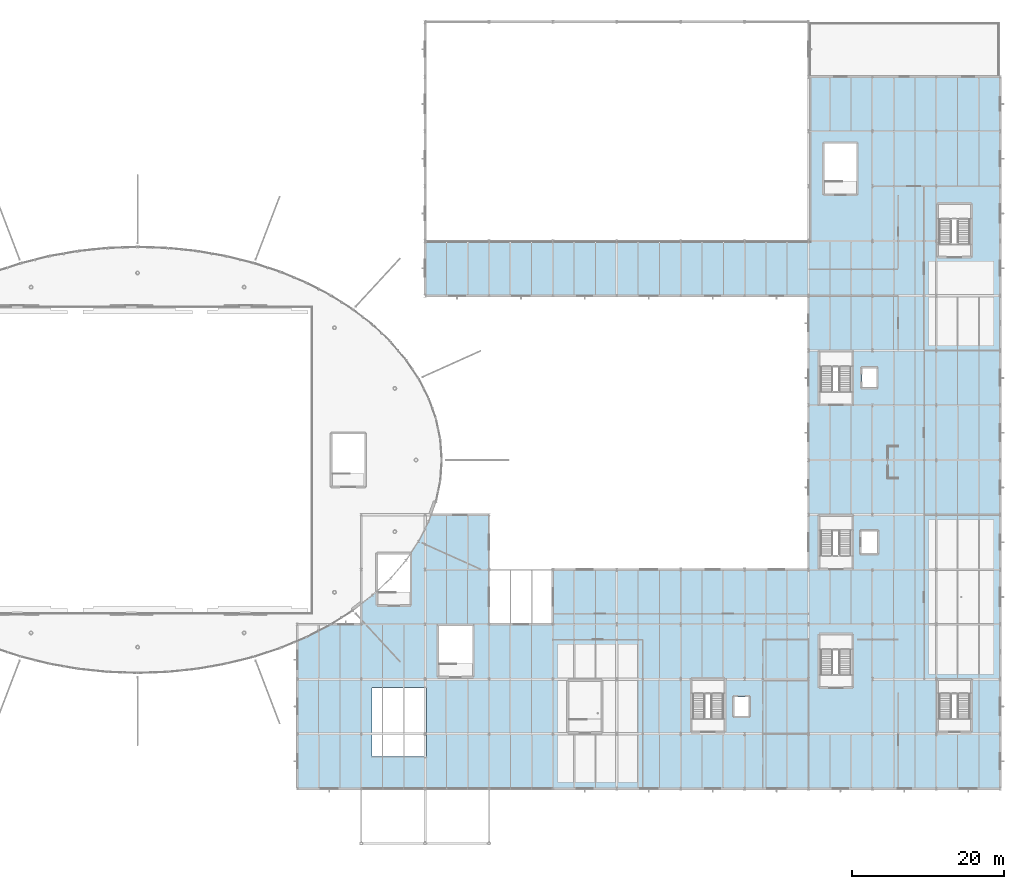
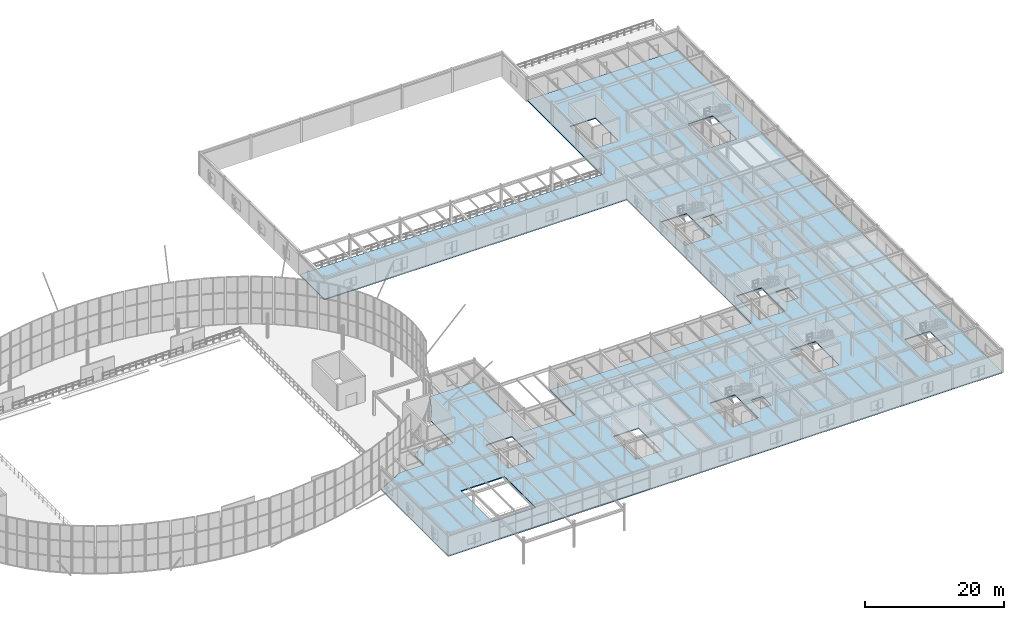
# One storey, part 50 of 109: 1 slab.
"""IFC4 building model written with IfcOpenShell, lengths in metres."""

from ifc_helpers import new_model, si_unit, derived_unit, direction, frame, origin, place, context, subcontext, project, spatial, polyline, outline, extrude, material, layer, layer_set, type_object, element, save


model = new_model("IFC4")

# Units and contexts
model_context = context("Model", 3, precision=1e-05, world=origin(), true_north=direction((0.0, 1.0)))
body_context = subcontext(model_context, "Body", "Model", "MODEL_VIEW")
ifc_project = project(units=[si_unit("LENGTHUNIT", "METRE"), si_unit("AREAUNIT", "SQUARE_METRE"), si_unit("VOLUMEUNIT", "CUBIC_METRE"), si_unit("PLANEANGLEUNIT", "RADIAN"), si_unit("MASSUNIT", "GRAM", prefix="KILO"), derived_unit("THERMALTRANSMITTANCEUNIT", [(si_unit("MASSUNIT", "GRAM", prefix="KILO"), 1), (si_unit("TIMEUNIT", "SECOND"), -3), (si_unit("THERMODYNAMICTEMPERATUREUNIT", "KELVIN"), -1)])], contexts=[model_context])

# Site, building, storey
site_placement = place(None, origin())
site = spatial("IfcSite", under=ifc_project, at=site_placement, CompositionType="ELEMENT")
building_placement = place(site_placement, origin())
building = spatial("IfcBuilding", under=site, at=building_placement, Name="Kharveza Railside Sports Centre", CompositionType="ELEMENT")
storey_placement = place(building_placement, frame((0.0, 0.0, 4.5)))
storey = spatial("IfcBuildingStorey", under=building, at=storey_placement, Name="L01", CompositionType="ELEMENT", Elevation=4.5)

# Slab
ifc_material = material(Name="Concrete C35/45", Category="concrete")
ifc_layer = layer(ifc_material, 0.179931640625, Name="Concrete C35/45")
ifc_layer_set = layer_set([ifc_layer], Name="Concrete C35/45")
slab_type = type_object("IfcSlabType", Name="SL-FL180", PredefinedType="FLOOR", material=ifc_layer_set)
slab_placement = place(storey_placement, frame((0.0, 0.0, -0.179931640625)))
element("IfcSlab", 1, at=slab_placement, inside=storey, type_object=slab_type, Name="SLB-L01-IND-01", PredefinedType="FLOOR", context=body_context, shape_type="SweptSolid", body=[
    extrude(outline(polyline([(142.800048828125, 72.0), (92.39990234375, 72.0), (92.39990234375, 79.199951171875), (142.800048828125, 79.199951171875), (142.800048828125, 100.800048828125), (168.0, 100.800048828125), (168.0, 7.199951171875), (142.800048828125, 7.199951171875), (109.199951171875, 7.199951171875), (75.60009765625, 7.199951171875), (75.60009765625, 26.603759765625), (76.823486328125, 27.116943359375), (76.82373046875, 27.1171875), (79.9765625, 28.75390625), (79.976806640625, 28.75390625), (80.04931640625, 28.800048828125), (84.0, 28.800048828125), (84.0, 31.460205078125), (85.521728515625, 32.635498046875), (85.521728515625, 32.635498046875), (86.199951171875, 33.275634765625), (86.199951171875, 31.39990234375), (90.39990234375, 31.39990234375), (90.39990234375, 37.9716796875), (91.556884765625, 39.683837890625), (91.556884765625, 39.683837890625), (92.87939453125, 42.271240234375), (92.87939453125, 42.271240234375), (93.2119140625, 43.199951171875), (100.800048828125, 43.199951171875), (100.800048828125, 28.800048828125), (109.199951171875, 28.800048828125), (109.199951171875, 36.0), (142.800048828125, 36.0), (142.800048828125, 72.0)]), holes=[polyline([(92.60009765625, 20.39990234375), (85.39990234375, 20.39990234375), (85.39990234375, 11.39990234375), (92.60009765625, 11.39990234375), (92.60009765625, 20.39990234375)]), polyline([(148.5, 36.199951171875), (148.5, 43.0), (144.300048828125, 43.0), (144.300048828125, 36.199951171875), (148.5, 36.199951171875)]), polyline([(144.300048828125, 57.800048828125), (148.5, 57.800048828125), (148.5, 64.60009765625), (144.300048828125, 64.60009765625), (144.300048828125, 57.800048828125)]), polyline([(127.5, 21.60009765625), (127.5, 14.800048828125), (131.699951171875, 14.800048828125), (131.699951171875, 21.60009765625), (127.5, 21.60009765625)]), polyline([(164.10009765625, 84.0), (159.89990234375, 84.0), (159.89990234375, 77.199951171875), (164.10009765625, 77.199951171875), (164.10009765625, 84.0)]), polyline([(148.5, 20.60009765625), (148.5, 27.39990234375), (144.300048828125, 27.39990234375), (144.300048828125, 20.60009765625), (148.5, 20.60009765625)]), polyline([(94.199951171875, 22.0), (98.60009765625, 22.0), (98.60009765625, 28.60009765625), (94.199951171875, 28.60009765625), (94.199951171875, 22.0)]), polyline([(159.89990234375, 21.39990234375), (159.89990234375, 14.800048828125), (164.10009765625, 14.800048828125), (164.10009765625, 21.39990234375), (159.89990234375, 21.39990234375)]), polyline([(115.5, 21.300048828125), (111.300048828125, 21.300048828125), (111.300048828125, 14.699951171875), (115.5, 14.699951171875), (115.5, 21.300048828125)]), polyline([(149.10009765625, 85.39990234375), (149.10009765625, 92.0), (144.89990234375, 92.0), (144.89990234375, 85.39990234375), (149.10009765625, 85.39990234375)]), polyline([(149.75, 38.14990234375), (151.85009765625, 38.14990234375), (151.85009765625, 41.050048828125), (149.75, 41.050048828125), (149.75, 38.14990234375)]), polyline([(149.85009765625, 62.449951171875), (149.85009765625, 59.949951171875), (151.75, 59.949951171875), (151.75, 62.449951171875), (149.85009765625, 62.449951171875)]), polyline([(134.949951171875, 19.25), (133.050048828125, 19.25), (133.050048828125, 16.75), (134.949951171875, 16.75), (134.949951171875, 19.25)])]), origin(), (0.0, 0.0, 1.0), 0.179931640625),
])

save(model, "model.ifc")
